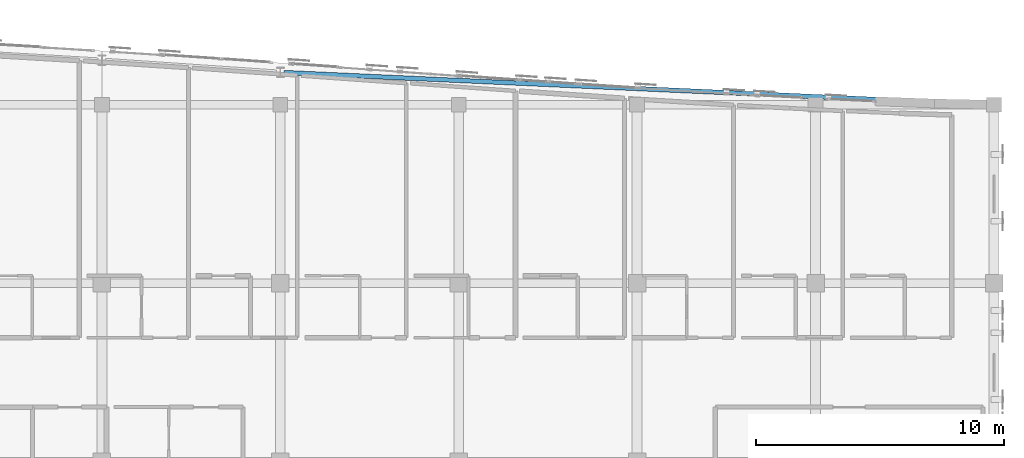
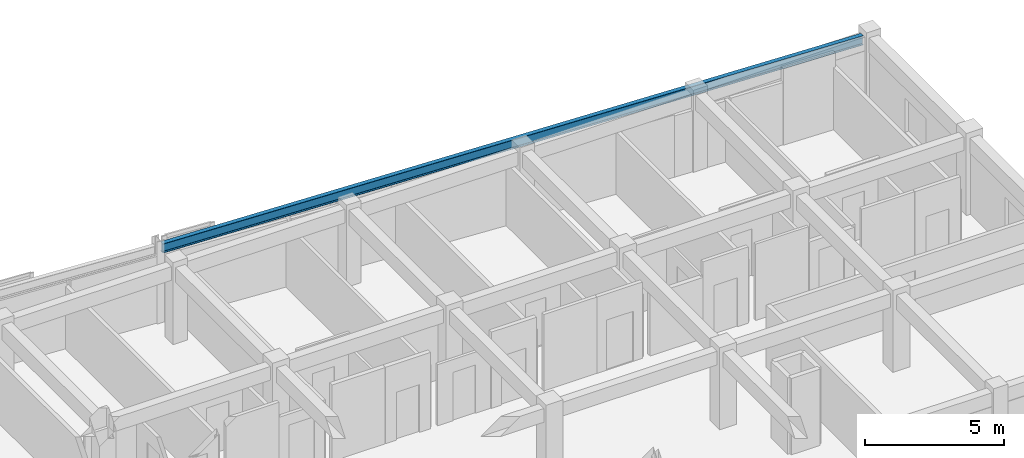
# One storey, part 27 of 48: 1 beam.
"""IFC4 building model written with IfcOpenShell, lengths in metres."""

from ifc_helpers import new_model, si_unit, direction, frame, origin, origin_2d, place, context, subcontext, project, spatial, i_section, extrude, material, material_profile, profile_set, type_object, element, save


model = new_model("IFC4")

# Units and contexts
model_context = context("Model", 3, precision=1e-05, world=origin(), true_north=direction((0.0, 1.0)))
body_context = subcontext(model_context, "Body", "Model", "MODEL_VIEW")
ifc_project = project(units=[si_unit("LENGTHUNIT", "METRE"), si_unit("AREAUNIT", "SQUARE_METRE"), si_unit("VOLUMEUNIT", "CUBIC_METRE"), si_unit("PLANEANGLEUNIT", "RADIAN"), si_unit("MASSUNIT", "GRAM", prefix="KILO")], contexts=[model_context])

# Site, building, storey
site_placement = place(None, origin())
site = spatial("IfcSite", under=ifc_project, at=site_placement, CompositionType="ELEMENT")
building_placement = place(site_placement, origin())
building = spatial("IfcBuilding", under=site, at=building_placement, Name="Carrowvane Square Congress Hotel", CompositionType="ELEMENT")
storey_placement = place(building_placement, frame((0.0, 0.0, 26.39990234375)))
storey = spatial("IfcBuildingStorey", under=building, at=storey_placement, Name="L06", CompositionType="ELEMENT", Elevation=26.39990234375)

# Beam
ifc_material = material(Name="Steel S355", Category="steel")
ifc_material_profile = material_profile(ifc_material, i_section(OverallWidth=0.1787109375, OverallDepth=0.409423828125, WebThickness=0.0087890625, FlangeThickness=0.014404296875, FilletRadius=0.01025390625, at=origin_2d()), Name="UKB 406x178x67")
ifc_profile_set = profile_set([ifc_material_profile], Name="Steel S355")
beam_type = type_object("IfcBeamType", Name="BM-ST-UKB406", PredefinedType="BEAM", material=ifc_profile_set)
beam_placement = place(storey_placement, frame((134.14990234375, 114.69921875, 3.1455078125), z_axis=(0.998973341492, -0.045301909323, 0.0), x_axis=(0.045301909323, 0.998973341492, 0.0)))
element("IfcBeam", 1, at=beam_placement, inside=storey, type_object=beam_type, Name="L07 curved north spandrel", PredefinedType="BEAM", context=body_context, shape_type="SweptSolid", body=[
    extrude(i_section(OverallWidth=0.1787109375, OverallDepth=0.409423828125, WebThickness=0.0087890625, FlangeThickness=0.014404296875, FilletRadius=0.01025390625, at=origin_2d()), origin(), (0.0, 0.0, 1.0), 28.37939453125),
])

save(model, "model.ifc")
